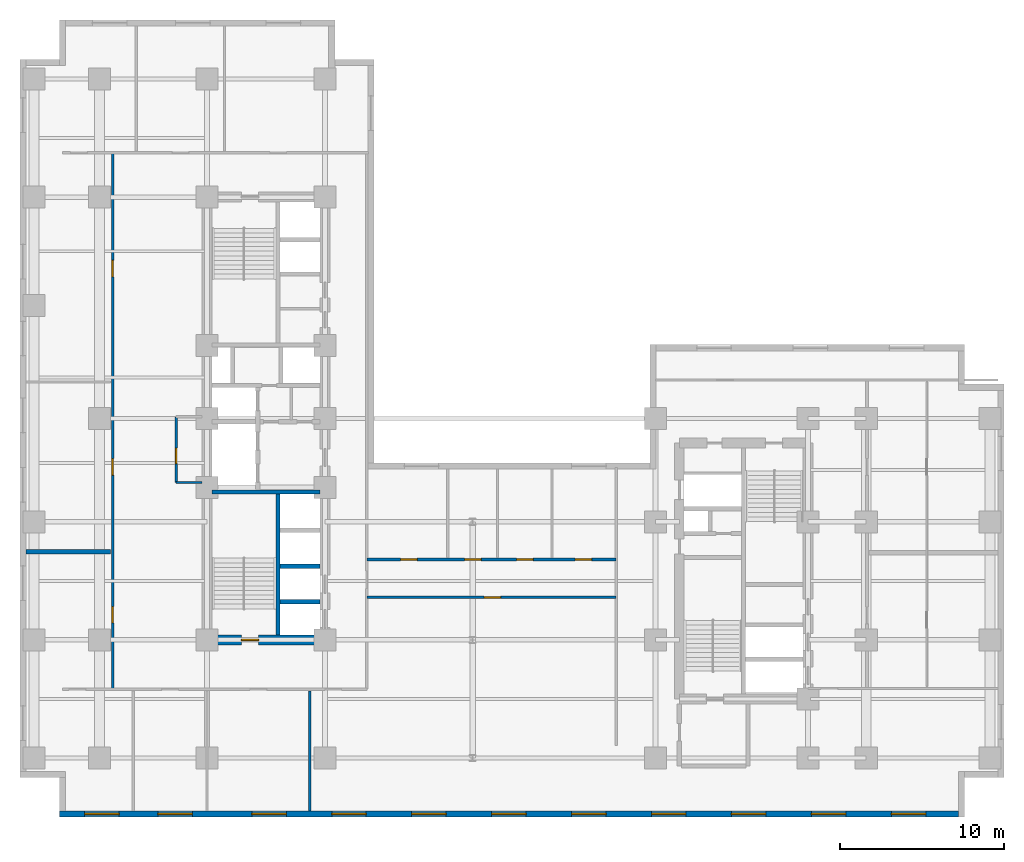
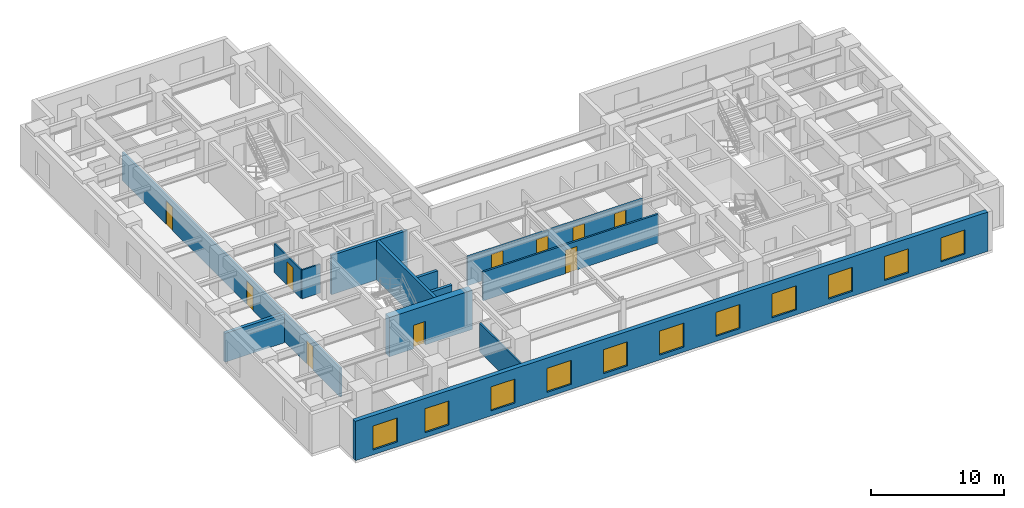
# One storey, part 3 of 10: 13 walls, 11 windows, 10 doors, 21 openings.
"""IFC4 building model written with IfcOpenShell, lengths in metres."""

import ifcopenshell
import ifcopenshell.guid

model = None  # the IFC model being written
_history = None  # IfcOwnerHistory: only IFC2X3 demands one
_inside = {}  # id of a spatial element -> (the spatial element, [elements in it])
_under = {}  # id of a project, library or spatial element -> (it, [spatial elements below it])
_declared = {}  # id of a project -> (the project, [libraries it declares])
_typed = {}  # id of a type object -> (the type object, [elements of that type])
_made_of = {}  # id of a material, layer set ... -> (it, [elements and type objects made of it])


def new_model(schema):
    """Start an empty IFC model of exactly this schema.

    Asked for "IFC4X3", IfcOpenShell would pick the latest addendum, in which some entities
    have other attributes; the version numbers below select the first issue.
    IFC2X3 requires an IfcOwnerHistory on every rooted entity: one is made here for all.
    """
    global model, _history
    if schema == "IFC4X3":
        model = ifcopenshell.file(schema_version=(4, 3, 0, 0))
    else:
        model = ifcopenshell.file(schema=schema)
    _inside.clear()
    _under.clear()
    _declared.clear()
    _typed.clear()
    _made_of.clear()
    _history = None
    if model.schema == "IFC2X3":
        org = make("IfcOrganization", Name="unknown")
        user = make(
            "IfcPersonAndOrganization",
            ThePerson=make("IfcPerson", FamilyName="unknown"),
            TheOrganization=org,
        )
        app = make(
            "IfcApplication",
            ApplicationDeveloper=org,
            Version="unknown",
            ApplicationFullName="unknown",
            ApplicationIdentifier="unknown",
        )
        _history = make(
            "IfcOwnerHistory",
            OwningUser=user,
            OwningApplication=app,
            ChangeAction="ADDED",
            CreationDate=0,
        )
    return model


def make(cls, **values):
    """One entity of the class cls with the attributes given. An attribute that is None is left unset."""
    return model.create_entity(
        cls, **{name: value for name, value in values.items() if value is not None}
    )


def entity(cls, *values):
    """Any entity or typed value of the class cls, its attributes in the order of the schema. None: left unset."""
    e = model.create_entity(cls)
    for i, value in enumerate(values):
        if value is not None:
            e[i] = value
    return e


def rooted(cls, **values):
    """An entity with a GlobalId (a new one), such as an element, a storey or a relation."""
    return make(cls, GlobalId=ifcopenshell.guid.new(), OwnerHistory=_history, **values)


def si_unit(unit_type, name, prefix=None):
    """IfcSIUnit, for example si_unit("LENGTHUNIT", "METRE", prefix="MILLI")."""
    return make("IfcSIUnit", UnitType=unit_type, Prefix=prefix, Name=name)


def converted_unit(unit_type, name, factor, base, dimensions=None, offset=None):
    """IfcConversionBasedUnit, such as the inch: factor (a typed value) times the base unit."""
    return make(
        "IfcConversionBasedUnit"
        if offset is None
        else "IfcConversionBasedUnitWithOffset",
        ConversionOffset=offset,
        Dimensions=None
        if dimensions is None
        else entity("IfcDimensionalExponents", *dimensions),
        UnitType=unit_type,
        Name=name,
        ConversionFactor=make(
            "IfcMeasureWithUnit", ValueComponent=factor, UnitComponent=base
        ),
    )


def assignment(units):
    """IfcUnitAssignment: the units of a project."""
    return None if units is None else make("IfcUnitAssignment", Units=units)


def point(xyz):
    """IfcCartesianPoint."""
    return None if xyz is None else make("IfcCartesianPoint", Coordinates=xyz)


def direction(xyz):
    """IfcDirection."""
    return None if xyz is None else make("IfcDirection", DirectionRatios=xyz)


def frame(location, z_axis=None, x_axis=None):
    """IfcAxis2Placement3D, a coordinate frame: its origin and axes. An axis left out is left unset."""
    return make(
        "IfcAxis2Placement3D",
        Location=point(location),
        Axis=direction(z_axis),
        RefDirection=direction(x_axis),
    )


def frame_2d(location, x_axis=None):
    """IfcAxis2Placement2D, a coordinate frame in the plane: its origin and x axis."""
    return make(
        "IfcAxis2Placement2D", Location=point(location), RefDirection=direction(x_axis)
    )


def origin_with_axes():
    """The frame at (0, 0, 0) with the z axis (0, 0, 1) and the x axis (1, 0, 0) written out."""
    return frame((0.0, 0.0, 0.0), z_axis=(0.0, 0.0, 1.0), x_axis=(1.0, 0.0, 0.0))


def origin_2d_with_axis():
    """The frame at (0, 0) in the plane with the x axis (1, 0) written out."""
    return frame_2d((0.0, 0.0), x_axis=(1.0, 0.0))


def place(relative_to, where):
    """IfcLocalPlacement: puts the frame where relative to a parent placement (None: the world)."""
    return make(
        "IfcLocalPlacement", PlacementRelTo=relative_to, RelativePlacement=where
    )


def context(
    kind, dimensions, precision=None, world=None, true_north=None, identifier=None
):
    """IfcGeometricRepresentationContext, for example the 3D "Model" context."""
    return make(
        "IfcGeometricRepresentationContext",
        ContextIdentifier=identifier,
        ContextType=kind,
        CoordinateSpaceDimension=dimensions,
        Precision=precision,
        WorldCoordinateSystem=world,
        TrueNorth=true_north,
    )


def subcontext(parent, identifier, kind, view, scale=None):
    """IfcGeometricRepresentationSubContext, for example "Body" below "Model"."""
    return make(
        "IfcGeometricRepresentationSubContext",
        ContextIdentifier=identifier,
        ContextType=kind,
        ParentContext=parent,
        TargetScale=scale,
        TargetView=view,
    )


def project(units=None, contexts=None):
    """IfcProject with its units and contexts."""
    return rooted(
        "IfcProject",
        Name="project",
        RepresentationContexts=contexts,
        UnitsInContext=assignment(units),
    )


def spatial(cls, under=None, at=None, **own):
    """A site, building, storey or space (cls), placed at a placement, below another one or the project."""
    s = rooted(cls, ObjectPlacement=at, **own)
    if under is not None:
        _under.setdefault(under.id(), (under, []))[1].append(s)
    return s


def polyline(points):
    """IfcPolyline through the points."""
    return make("IfcPolyline", Points=[point(p) for p in points])


def profile(cls, at=None, kind="AREA", **sizes):
    """A parametric profile (cls). Its sizes go by their IFC names, for example OverallWidth=200.0."""
    return make(cls, ProfileType=kind, Position=at, **sizes)


def rectangle(**sizes):
    """IfcRectangleProfileDef."""
    return profile("IfcRectangleProfileDef", **sizes)


def outline(outer, holes=None, kind="AREA"):
    """IfcArbitraryClosedProfileDef: a profile drawn as a closed curve; with holes, ...WithVoids."""
    if holes is None:
        return make("IfcArbitraryClosedProfileDef", ProfileType=kind, OuterCurve=outer)
    return make(
        "IfcArbitraryProfileDefWithVoids",
        ProfileType=kind,
        OuterCurve=outer,
        InnerCurves=holes,
    )


def extrude(swept, where, along, depth):
    """IfcExtrudedAreaSolid: the profile swept, set in the frame where, extruded along a direction by depth."""
    return make(
        "IfcExtrudedAreaSolid",
        SweptArea=swept,
        Position=where,
        ExtrudedDirection=direction(along),
        Depth=depth,
    )


def shape(context_of_items, identifier, shape_type, items):
    """IfcShapeRepresentation: the items that make up one representation, for example the "Body"."""
    return make(
        "IfcShapeRepresentation",
        ContextOfItems=context_of_items,
        RepresentationIdentifier=identifier,
        RepresentationType=shape_type,
        Items=items,
    )


def material(Name=None, Category=None):
    """IfcMaterial."""
    return make("IfcMaterial", Name=Name, Category=Category)


def layer(
    of_material, thickness, ventilated=None, Name=None, Category=None, Priority=None
):
    """IfcMaterialLayer: one layer of a wall or slab, of a material (None: an air gap)."""
    return make(
        "IfcMaterialLayer",
        Material=of_material,
        LayerThickness=thickness,
        IsVentilated=ventilated,
        Name=Name,
        Category=Category,
        Priority=Priority,
    )


def layer_set(layers, Name=None):
    """IfcMaterialLayerSet."""
    return make("IfcMaterialLayerSet", MaterialLayers=layers, LayerSetName=Name)


def made_of(thing, what):
    """Note that an element or type object is made of a material, layer set ...; save() writes the relation."""
    if what is not None:
        _made_of.setdefault(what.id(), (what, []))[1].append(thing)
    return thing


def type_object(cls, material=None, **own):
    """A type object (cls), such as IfcWallType, which elements share."""
    return made_of(rooted(cls, **own), material)


def element(
    cls,
    number,
    at=None,
    inside=None,
    cuts=None,
    type_object=None,
    material=None,
    context=None,
    identifier="Body",
    shape_type=None,
    held_by="IfcProductDefinitionShape",
    body=None,
    shapes=None,
    **own,
):
    """One element of the class cls, such as IfcWall. Its Tag is "e" and its number.

    at: its placement. inside: the storey or other place that contains it. cuts: it is an
    opening in that element (IfcRelVoidsElement). A single representation is given by context,
    identifier, shape_type and body (its items); several are given by shapes. held_by: the class
    of the entity that holds the representations. save() writes the other relations.
    """
    e = rooted(cls, Tag="e%d" % number, ObjectPlacement=at, **own)
    if body is not None:
        shapes = [shape(context, identifier, shape_type, body)]
    if shapes is not None:
        e.Representation = make(held_by, Representations=shapes)
    if inside is not None:
        _inside.setdefault(inside.id(), (inside, []))[1].append(e)
    if cuts is not None:
        rooted(
            "IfcRelVoidsElement", RelatingBuildingElement=cuts, RelatedOpeningElement=e
        )
    if type_object is not None:
        _typed.setdefault(type_object.id(), (type_object, []))[1].append(e)
    return made_of(e, material)


def fill(opening, filler):
    """IfcRelFillsElement: the door or window that sits in an opening."""
    return rooted(
        "IfcRelFillsElement",
        RelatingOpeningElement=opening,
        RelatedBuildingElement=filler,
    )


def aggregate(whole, parts):
    """IfcRelAggregates: a whole, such as a stair, and the parts it consists of."""
    return rooted("IfcRelAggregates", RelatingObject=whole, RelatedObjects=parts)


def save(model, path):
    """Write the relations noted so far, then the file.

    IfcRelAggregates (storeys below a building ...), IfcRelContainedInSpatialStructure (elements
    in a storey), IfcRelDefinesByType, IfcRelAssociatesMaterial and IfcRelDeclares: one each for
    every whole, place, type object, material and project.
    """
    for whole, parts in _under.values():
        aggregate(whole, parts)
    for where, things in _inside.values():
        rooted(
            "IfcRelContainedInSpatialStructure",
            RelatedElements=things,
            RelatingStructure=where,
        )
    for kind, things in _typed.values():
        rooted("IfcRelDefinesByType", RelatedObjects=things, RelatingType=kind)
    for what, things in _made_of.values():
        rooted("IfcRelAssociatesMaterial", RelatedObjects=things, RelatingMaterial=what)
    for by, libraries in _declared.values():
        rooted("IfcRelDeclares", RelatingContext=by, RelatedDefinitions=libraries)
    model.write(path)


model = new_model("IFC4")

# Units and contexts
model_context = context("Model", 3, precision=1e-05, world=origin_with_axes(), true_north=direction((0.0, 1.0)))
body_context = subcontext(model_context, "Body", "Model", "MODEL_VIEW")
ifc_project = project(units=[si_unit("LENGTHUNIT", "METRE"), si_unit("AREAUNIT", "SQUARE_METRE"), si_unit("VOLUMEUNIT", "CUBIC_METRE"), converted_unit("PLANEANGLEUNIT", "DEGREE", entity("IfcPlaneAngleMeasure", 0.017453292519943295), si_unit("PLANEANGLEUNIT", "RADIAN"), dimensions=[0, 0, 0, 0, 0, 0, 0]), si_unit("MASSUNIT", "GRAM", prefix="KILO"), si_unit("THERMODYNAMICTEMPERATUREUNIT", "KELVIN")], contexts=[model_context])

# Site, building, storey
site_placement = place(None, origin_with_axes())
site = spatial("IfcSite", under=ifc_project, at=site_placement, CompositionType="ELEMENT")
building_placement = place(site_placement, origin_with_axes())
building = spatial("IfcBuilding", under=site, at=building_placement, Name="Varnlund Millrace Tower", CompositionType="ELEMENT")
storey_placement = place(building_placement, frame((0.0, 0.0, 75.6), z_axis=(0.0, 0.0, 1.0), x_axis=(1.0, 0.0, 0.0)))
storey = spatial("IfcBuildingStorey", under=building, at=storey_placement, Name="L18", CompositionType="ELEMENT", Elevation=75.6)

# Wall, opening, door
ifc_material_1 = material(Name="Concrete C80/95", Category="concrete")
ifc_layer_1 = layer(ifc_material_1, 0.6, Name="Concrete C80/95")
ifc_layer_set_1 = layer_set([ifc_layer_1], Name="Concrete C80/95")
wall_type_1 = type_object("IfcWallType", Name="Type-CoreWall-Shear-600-C80", PredefinedType="SHEAR", material=ifc_layer_set_1)
wall_1_placement = place(storey_placement, frame((11.4, 10.8, 0.0), z_axis=(0.0, 0.0, 1.0), x_axis=(1.0, 0.0, 0.0)))
wall_1 = element("IfcWall", 1, at=wall_1_placement, inside=storey, type_object=wall_type_1, Name="Type-CoreWall-Shear-600-C80", PredefinedType="SHEAR", context=body_context, shape_type="SweptSolid", body=[
    extrude(outline(polyline([(0.0, -0.3), (7.2, -0.3), (7.2, 0.3), (0.0, 0.3), (0.0, -0.3)])), origin_with_axes(), (0.0, 0.0, 1.0), 3.6),
])
opening_1_placement = place(wall_1_placement, frame((2.625, 0.0, 0.0), z_axis=(0.0, 0.0, 1.0), x_axis=(1.0, 0.0, 0.0)))
opening_1 = element("IfcOpeningElement", 2, at=opening_1_placement, cuts=wall_1, Name="Opening L18:DR-STA1", PredefinedType="OPENING", context=body_context, shape_type="SweptSolid", body=[
    extrude(rectangle(XDim=1.05, YDim=0.62, at=origin_2d_with_axis()), origin_with_axes(), (0.0, 0.0, 1.0), 2.15),
])
ifc_material_2 = material(Name="Fire-rated hollow steel door", Category="steel")
door_type_1 = type_object("IfcDoorType", Name="Type-FireDoor-Stair-1050X2150", OperationType="NOTDEFINED", PredefinedType="DOOR", material=ifc_material_2)
door_1_placement = place(wall_1_placement, frame((2.625, 0.0, 0.0), z_axis=(0.0, 0.0, 1.0), x_axis=(1.0, 0.0, 0.0)))
door_1 = element("IfcDoor", 3, at=door_1_placement, inside=storey, type_object=door_type_1, Name="Type-FireDoor-Stair-1050X2150", OperationType="SINGLE_SWING_LEFT", OverallHeight=2.15, OverallWidth=1.05, PredefinedType="DOOR", context=body_context, shape_type="SweptSolid", body=[
    extrude(rectangle(XDim=1.05, YDim=0.09, at=origin_2d_with_axis()), origin_with_axes(), (0.0, 0.0, 1.0), 2.15),
])
fill(opening_1, door_1)

# Wall, openings, windows
ifc_material_3 = material(Name="Precast concrete C50/60", Category="concrete")
ifc_layer_2 = layer(ifc_material_3, 0.38, Name="Precast concrete C50/60")
ifc_layer_set_2 = layer_set([ifc_layer_2], Name="Precast concrete C50/60")
wall_type_2 = type_object("IfcWallType", Name="Type-ExtWall-Precast-Tube-380", PredefinedType="SOLIDWALL", material=ifc_layer_set_2)
wall_2_placement = place(storey_placement, frame((57.22, 0.19, 0.0), z_axis=(0.0, 0.0, 1.0), x_axis=(-1.0, 0.0, 0.0)))
wall_2 = element("IfcWall", 4, at=wall_2_placement, inside=storey, type_object=wall_type_2, Name="Type-ExtWall-Precast-Tube-380", PredefinedType="SOLIDWALL", context=body_context, shape_type="SweptSolid", body=[
    extrude(outline(polyline([(0.0, -0.19), (54.82, -0.19), (54.82, 0.19), (0.0, 0.19), (0.0, -0.19)])), origin_with_axes(), (0.0, 0.0, 1.0), 3.6),
])
opening_2_placement = place(wall_2_placement, frame((3.037, 0.0, 0.45), z_axis=(0.0, 0.0, 1.0), x_axis=(1.0, 0.0, 0.0)))
opening_2 = element("IfcOpeningElement", 5, at=opening_2_placement, cuts=wall_2, Name="Opening L18:WN-06", PredefinedType="OPENING", context=body_context, shape_type="SweptSolid", body=[
    extrude(rectangle(XDim=2.1, YDim=0.4, at=origin_2d_with_axis()), origin_with_axes(), (0.0, 0.0, 1.0), 2.2),
])
opening_3_placement = place(wall_2_placement, frame((7.912, 0.0, 0.45), z_axis=(0.0, 0.0, 1.0), x_axis=(1.0, 0.0, 0.0)))
opening_3 = element("IfcOpeningElement", 6, at=opening_3_placement, cuts=wall_2, Name="Opening L18:WN-07", PredefinedType="OPENING", context=body_context, shape_type="SweptSolid", body=[
    extrude(rectangle(XDim=2.1, YDim=0.4, at=origin_2d_with_axis()), origin_with_axes(), (0.0, 0.0, 1.0), 2.2),
])
opening_4_placement = place(wall_2_placement, frame((12.786, 0.0, 0.45), z_axis=(0.0, 0.0, 1.0), x_axis=(1.0, 0.0, 0.0)))
opening_4 = element("IfcOpeningElement", 7, at=opening_4_placement, cuts=wall_2, Name="Opening L18:WN-08", PredefinedType="OPENING", context=body_context, shape_type="SweptSolid", body=[
    extrude(rectangle(XDim=2.1, YDim=0.4, at=origin_2d_with_axis()), origin_with_axes(), (0.0, 0.0, 1.0), 2.2),
])
opening_5_placement = place(wall_2_placement, frame((17.661, 0.0, 0.45), z_axis=(0.0, 0.0, 1.0), x_axis=(1.0, 0.0, 0.0)))
opening_5 = element("IfcOpeningElement", 8, at=opening_5_placement, cuts=wall_2, Name="Opening L18:WN-09", PredefinedType="OPENING", context=body_context, shape_type="SweptSolid", body=[
    extrude(rectangle(XDim=2.1, YDim=0.4, at=origin_2d_with_axis()), origin_with_axes(), (0.0, 0.0, 1.0), 2.2),
])
opening_6_placement = place(wall_2_placement, frame((22.535, 0.0, 0.45), z_axis=(0.0, 0.0, 1.0), x_axis=(1.0, 0.0, 0.0)))
opening_6 = element("IfcOpeningElement", 9, at=opening_6_placement, cuts=wall_2, Name="Opening L18:WN-10", PredefinedType="OPENING", context=body_context, shape_type="SweptSolid", body=[
    extrude(rectangle(XDim=2.1, YDim=0.4, at=origin_2d_with_axis()), origin_with_axes(), (0.0, 0.0, 1.0), 2.2),
])
opening_7_placement = place(wall_2_placement, frame((27.41, 0.0, 0.45), z_axis=(0.0, 0.0, 1.0), x_axis=(1.0, 0.0, 0.0)))
opening_7 = element("IfcOpeningElement", 10, at=opening_7_placement, cuts=wall_2, Name="Opening L18:WN-11", PredefinedType="OPENING", context=body_context, shape_type="SweptSolid", body=[
    extrude(rectangle(XDim=2.1, YDim=0.4, at=origin_2d_with_axis()), origin_with_axes(), (0.0, 0.0, 1.0), 2.2),
])
opening_8_placement = place(wall_2_placement, frame((32.285, 0.0, 0.45), z_axis=(0.0, 0.0, 1.0), x_axis=(1.0, 0.0, 0.0)))
opening_8 = element("IfcOpeningElement", 11, at=opening_8_placement, cuts=wall_2, Name="Opening L18:WN-12", PredefinedType="OPENING", context=body_context, shape_type="SweptSolid", body=[
    extrude(rectangle(XDim=2.1, YDim=0.4, at=origin_2d_with_axis()), origin_with_axes(), (0.0, 0.0, 1.0), 2.2),
])
opening_9_placement = place(wall_2_placement, frame((37.159, 0.0, 0.45), z_axis=(0.0, 0.0, 1.0), x_axis=(1.0, 0.0, 0.0)))
opening_9 = element("IfcOpeningElement", 12, at=opening_9_placement, cuts=wall_2, Name="Opening L18:WN-13", PredefinedType="OPENING", context=body_context, shape_type="SweptSolid", body=[
    extrude(rectangle(XDim=2.1, YDim=0.4, at=origin_2d_with_axis()), origin_with_axes(), (0.0, 0.0, 1.0), 2.2),
])
opening_10_placement = place(wall_2_placement, frame((42.034, 0.0, 0.45), z_axis=(0.0, 0.0, 1.0), x_axis=(1.0, 0.0, 0.0)))
opening_10 = element("IfcOpeningElement", 13, at=opening_10_placement, cuts=wall_2, Name="Opening L18:WN-14", PredefinedType="OPENING", context=body_context, shape_type="SweptSolid", body=[
    extrude(rectangle(XDim=2.1, YDim=0.4, at=origin_2d_with_axis()), origin_with_axes(), (0.0, 0.0, 1.0), 2.2),
])
opening_11_placement = place(wall_2_placement, frame((47.758, 0.0, 0.45), z_axis=(0.0, 0.0, 1.0), x_axis=(1.0, 0.0, 0.0)))
opening_11 = element("IfcOpeningElement", 14, at=opening_11_placement, cuts=wall_2, Name="Opening L18:WN-15", PredefinedType="OPENING", context=body_context, shape_type="SweptSolid", body=[
    extrude(rectangle(XDim=2.1, YDim=0.4, at=origin_2d_with_axis()), origin_with_axes(), (0.0, 0.0, 1.0), 2.2),
])
opening_12_placement = place(wall_2_placement, frame((52.233, 0.0, 0.45), z_axis=(0.0, 0.0, 1.0), x_axis=(1.0, 0.0, 0.0)))
opening_12 = element("IfcOpeningElement", 15, at=opening_12_placement, cuts=wall_2, Name="Opening L18:WN-16", PredefinedType="OPENING", context=body_context, shape_type="SweptSolid", body=[
    extrude(rectangle(XDim=2.1, YDim=0.4, at=origin_2d_with_axis()), origin_with_axes(), (0.0, 0.0, 1.0), 2.2),
])
ifc_material_4 = material(Name="Argon low-e triple glazing in thermally broken bronze frame", Category="glass")
window_type = type_object("IfcWindowType", Name="Type-Window-Punched-2100X2200", PartitioningType="SINGLE_PANEL", PredefinedType="WINDOW", material=ifc_material_4)
window_1_placement = place(wall_2_placement, frame((3.037, 0.0, 0.45), z_axis=(0.0, 0.0, 1.0), x_axis=(1.0, 0.0, 0.0)))
window_1 = element("IfcWindow", 16, at=window_1_placement, inside=storey, type_object=window_type, Name="Type-Window-Punched-2100X2200", OverallHeight=2.2, OverallWidth=2.1, PredefinedType="WINDOW", context=body_context, shape_type="SweptSolid", body=[
    extrude(rectangle(XDim=2.1, YDim=0.09, at=origin_2d_with_axis()), origin_with_axes(), (0.0, 0.0, 1.0), 2.2),
])
fill(opening_2, window_1)
window_2_placement = place(wall_2_placement, frame((7.912, 0.0, 0.45), z_axis=(0.0, 0.0, 1.0), x_axis=(1.0, 0.0, 0.0)))
window_2 = element("IfcWindow", 17, at=window_2_placement, inside=storey, type_object=window_type, Name="Type-Window-Punched-2100X2200", OverallHeight=2.2, OverallWidth=2.1, PredefinedType="WINDOW", context=body_context, shape_type="SweptSolid", body=[
    extrude(rectangle(XDim=2.1, YDim=0.09, at=origin_2d_with_axis()), origin_with_axes(), (0.0, 0.0, 1.0), 2.2),
])
fill(opening_3, window_2)
window_3_placement = place(wall_2_placement, frame((12.786, 0.0, 0.45), z_axis=(0.0, 0.0, 1.0), x_axis=(1.0, 0.0, 0.0)))
window_3 = element("IfcWindow", 18, at=window_3_placement, inside=storey, type_object=window_type, Name="Type-Window-Punched-2100X2200", OverallHeight=2.2, OverallWidth=2.1, PredefinedType="WINDOW", context=body_context, shape_type="SweptSolid", body=[
    extrude(rectangle(XDim=2.1, YDim=0.09, at=origin_2d_with_axis()), origin_with_axes(), (0.0, 0.0, 1.0), 2.2),
])
fill(opening_4, window_3)
window_4_placement = place(wall_2_placement, frame((17.661, 0.0, 0.45), z_axis=(0.0, 0.0, 1.0), x_axis=(1.0, 0.0, 0.0)))
window_4 = element("IfcWindow", 19, at=window_4_placement, inside=storey, type_object=window_type, Name="Type-Window-Punched-2100X2200", OverallHeight=2.2, OverallWidth=2.1, PredefinedType="WINDOW", context=body_context, shape_type="SweptSolid", body=[
    extrude(rectangle(XDim=2.1, YDim=0.09, at=origin_2d_with_axis()), origin_with_axes(), (0.0, 0.0, 1.0), 2.2),
])
fill(opening_5, window_4)
window_5_placement = place(wall_2_placement, frame((22.535, 0.0, 0.45), z_axis=(0.0, 0.0, 1.0), x_axis=(1.0, 0.0, 0.0)))
window_5 = element("IfcWindow", 20, at=window_5_placement, inside=storey, type_object=window_type, Name="Type-Window-Punched-2100X2200", OverallHeight=2.2, OverallWidth=2.1, PredefinedType="WINDOW", context=body_context, shape_type="SweptSolid", body=[
    extrude(rectangle(XDim=2.1, YDim=0.09, at=origin_2d_with_axis()), origin_with_axes(), (0.0, 0.0, 1.0), 2.2),
])
fill(opening_6, window_5)
window_6_placement = place(wall_2_placement, frame((27.41, 0.0, 0.45), z_axis=(0.0, 0.0, 1.0), x_axis=(1.0, 0.0, 0.0)))
window_6 = element("IfcWindow", 21, at=window_6_placement, inside=storey, type_object=window_type, Name="Type-Window-Punched-2100X2200", OverallHeight=2.2, OverallWidth=2.1, PredefinedType="WINDOW", context=body_context, shape_type="SweptSolid", body=[
    extrude(rectangle(XDim=2.1, YDim=0.09, at=origin_2d_with_axis()), origin_with_axes(), (0.0, 0.0, 1.0), 2.2),
])
fill(opening_7, window_6)
window_7_placement = place(wall_2_placement, frame((32.285, 0.0, 0.45), z_axis=(0.0, 0.0, 1.0), x_axis=(1.0, 0.0, 0.0)))
window_7 = element("IfcWindow", 22, at=window_7_placement, inside=storey, type_object=window_type, Name="Type-Window-Punched-2100X2200", OverallHeight=2.2, OverallWidth=2.1, PredefinedType="WINDOW", context=body_context, shape_type="SweptSolid", body=[
    extrude(rectangle(XDim=2.1, YDim=0.09, at=origin_2d_with_axis()), origin_with_axes(), (0.0, 0.0, 1.0), 2.2),
])
fill(opening_8, window_7)
window_8_placement = place(wall_2_placement, frame((37.159, 0.0, 0.45), z_axis=(0.0, 0.0, 1.0), x_axis=(1.0, 0.0, 0.0)))
window_8 = element("IfcWindow", 23, at=window_8_placement, inside=storey, type_object=window_type, Name="Type-Window-Punched-2100X2200", OverallHeight=2.2, OverallWidth=2.1, PredefinedType="WINDOW", context=body_context, shape_type="SweptSolid", body=[
    extrude(rectangle(XDim=2.1, YDim=0.09, at=origin_2d_with_axis()), origin_with_axes(), (0.0, 0.0, 1.0), 2.2),
])
fill(opening_9, window_8)
window_9_placement = place(wall_2_placement, frame((42.034, 0.0, 0.45), z_axis=(0.0, 0.0, 1.0), x_axis=(1.0, 0.0, 0.0)))
window_9 = element("IfcWindow", 24, at=window_9_placement, inside=storey, type_object=window_type, Name="Type-Window-Punched-2100X2200", OverallHeight=2.2, OverallWidth=2.1, PredefinedType="WINDOW", context=body_context, shape_type="SweptSolid", body=[
    extrude(rectangle(XDim=2.1, YDim=0.09, at=origin_2d_with_axis()), origin_with_axes(), (0.0, 0.0, 1.0), 2.2),
])
fill(opening_10, window_9)
window_10_placement = place(wall_2_placement, frame((47.758, 0.0, 0.45), z_axis=(0.0, 0.0, 1.0), x_axis=(1.0, 0.0, 0.0)))
window_10 = element("IfcWindow", 25, at=window_10_placement, inside=storey, type_object=window_type, Name="Type-Window-Punched-2100X2200", OverallHeight=2.2, OverallWidth=2.1, PredefinedType="WINDOW", context=body_context, shape_type="SweptSolid", body=[
    extrude(rectangle(XDim=2.1, YDim=0.09, at=origin_2d_with_axis()), origin_with_axes(), (0.0, 0.0, 1.0), 2.2),
])
fill(opening_11, window_10)
window_11_placement = place(wall_2_placement, frame((52.233, 0.0, 0.45), z_axis=(0.0, 0.0, 1.0), x_axis=(1.0, 0.0, 0.0)))
window_11 = element("IfcWindow", 26, at=window_11_placement, inside=storey, type_object=window_type, Name="Type-Window-Punched-2100X2200", OverallHeight=2.2, OverallWidth=2.1, PredefinedType="WINDOW", context=body_context, shape_type="SweptSolid", body=[
    extrude(rectangle(XDim=2.1, YDim=0.09, at=origin_2d_with_axis()), origin_with_axes(), (0.0, 0.0, 1.0), 2.2),
])
fill(opening_12, window_11)

# Wall
ifc_material_5 = material(Name="Double-stud STC-60 conference acoustic partition", Category="gypsum")
ifc_layer_3 = layer(ifc_material_5, 0.28, Name="Double-stud STC-60 conference acoustic partition")
ifc_layer_set_3 = layer_set([ifc_layer_3], Name="Double-stud STC-60 conference acoustic partition")
wall_type_3 = type_object("IfcWallType", Name="Type-Partition-Acoustic-280", PredefinedType="PARTITIONING", material=ifc_layer_set_3)
wall_3_placement = place(storey_placement, frame((0.375, 16.185, 0.0), z_axis=(0.0, 0.0, 1.0), x_axis=(1.0, 0.0, 0.0)))
element("IfcWall", 27, at=wall_3_placement, inside=storey, type_object=wall_type_3, Name="Type-Partition-Acoustic-280", PredefinedType="PARTITIONING", context=body_context, shape_type="SweptSolid", body=[
    extrude(outline(polyline([(0.0, -0.14), (5.155, -0.14), (5.155, 0.14), (0.0, 0.14), (0.0, -0.14)])), origin_with_axes(), (0.0, 0.0, 1.0), 2.64),
])

# Wall, openings, doors
ifc_material_6 = material(Name="Fire-rated gypsum board on cold-formed steel framing", Category="steel")
ifc_layer_4 = layer(ifc_material_6, 0.16, Name="Fire-rated gypsum board on cold-formed steel framing")
ifc_layer_set_4 = layer_set([ifc_layer_4], Name="Fire-rated gypsum board on cold-formed steel framing")
wall_type_4 = type_object("IfcWallType", Name="Type-Partition-Corridor-160", PredefinedType="PARTITIONING", material=ifc_layer_set_4)
wall_4_placement = place(storey_placement, frame((5.65, 7.8, 0.0), z_axis=(0.0, 0.0, 1.0), x_axis=(0.0, 1.0, 0.0)))
wall_4 = element("IfcWall", 28, at=wall_4_placement, inside=storey, type_object=wall_type_4, Name="Type-Partition-Corridor-160", PredefinedType="PARTITIONING", context=body_context, shape_type="SweptSolid", body=[
    extrude(outline(polyline([(0.0, -0.08), (32.7, -0.08), (32.7, 0.08), (0.0, 0.08), (0.0, -0.08)])), origin_with_axes(), (0.0, 0.0, 1.0), 2.64),
])
opening_13_placement = place(wall_4_placement, frame((4.537, 0.0, 0.0), z_axis=(0.0, 0.0, 1.0), x_axis=(1.0, 0.0, 0.0)))
opening_13 = element("IfcOpeningElement", 29, at=opening_13_placement, cuts=wall_4, Name="Opening L18:DR-W-01", PredefinedType="OPENING", context=body_context, shape_type="SweptSolid", body=[
    extrude(rectangle(XDim=1.0, YDim=0.18, at=origin_2d_with_axis()), origin_with_axes(), (0.0, 0.0, 1.0), 2.15),
])
opening_14_placement = place(wall_4_placement, frame((13.551, 0.0, 0.0), z_axis=(0.0, 0.0, 1.0), x_axis=(1.0, 0.0, 0.0)))
opening_14 = element("IfcOpeningElement", 30, at=opening_14_placement, cuts=wall_4, Name="Opening L18:DR-W-02", PredefinedType="OPENING", context=body_context, shape_type="SweptSolid", body=[
    extrude(rectangle(XDim=1.0, YDim=0.18, at=origin_2d_with_axis()), origin_with_axes(), (0.0, 0.0, 1.0), 2.15),
])
opening_15_placement = place(wall_4_placement, frame((25.6435, 0.0, 0.0), z_axis=(0.0, 0.0, 1.0), x_axis=(1.0, 0.0, 0.0)))
opening_15 = element("IfcOpeningElement", 31, at=opening_15_placement, cuts=wall_4, Name="Opening L18:DR-W-03", PredefinedType="OPENING", context=body_context, shape_type="SweptSolid", body=[
    extrude(rectangle(XDim=1.0, YDim=0.18, at=origin_2d_with_axis()), origin_with_axes(), (0.0, 0.0, 1.0), 2.15),
])
ifc_material_7 = material(Name="Solid-core white oak and bronze frame door")
door_type_2 = type_object("IfcDoorType", Name="Type-IntDoor-Office-1000X2150", OperationType="NOTDEFINED", PredefinedType="DOOR", material=ifc_material_7)
door_2_placement = place(wall_4_placement, frame((4.537, 0.0, 0.0), z_axis=(0.0, 0.0, 1.0), x_axis=(1.0, 0.0, 0.0)))
door_2 = element("IfcDoor", 32, at=door_2_placement, inside=storey, type_object=door_type_2, Name="Type-IntDoor-Office-1000X2150", OperationType="SINGLE_SWING_LEFT", OverallHeight=2.15, OverallWidth=1.0, PredefinedType="DOOR", context=body_context, shape_type="SweptSolid", body=[
    extrude(rectangle(XDim=1.0, YDim=0.09, at=origin_2d_with_axis()), origin_with_axes(), (0.0, 0.0, 1.0), 2.15),
])
fill(opening_13, door_2)
door_3_placement = place(wall_4_placement, frame((13.551, 0.0, 0.0), z_axis=(0.0, 0.0, 1.0), x_axis=(1.0, 0.0, 0.0)))
door_3 = element("IfcDoor", 33, at=door_3_placement, inside=storey, type_object=door_type_2, Name="Type-IntDoor-Office-1000X2150", OperationType="SINGLE_SWING_RIGHT", OverallHeight=2.15, OverallWidth=1.0, PredefinedType="DOOR", context=body_context, shape_type="SweptSolid", body=[
    extrude(rectangle(XDim=1.0, YDim=0.09, at=origin_2d_with_axis()), origin_with_axes(), (0.0, 0.0, 1.0), 2.15),
])
fill(opening_14, door_3)
door_4_placement = place(wall_4_placement, frame((25.6435, 0.0, 0.0), z_axis=(0.0, 0.0, 1.0), x_axis=(1.0, 0.0, 0.0)))
door_4 = element("IfcDoor", 34, at=door_4_placement, inside=storey, type_object=door_type_2, Name="Type-IntDoor-Office-1000X2150", OperationType="SINGLE_SWING_LEFT", OverallHeight=2.15, OverallWidth=1.0, PredefinedType="DOOR", context=body_context, shape_type="SweptSolid", body=[
    extrude(rectangle(XDim=1.0, YDim=0.09, at=origin_2d_with_axis()), origin_with_axes(), (0.0, 0.0, 1.0), 2.15),
])
fill(opening_15, door_4)

# Wall, opening, door
wall_5_placement = place(storey_placement, frame((21.15, 13.4, 0.0), z_axis=(0.0, 0.0, 1.0), x_axis=(1.0, 0.0, 0.0)))
wall_5 = element("IfcWall", 35, at=wall_5_placement, inside=storey, type_object=wall_type_4, Name="Type-Partition-Corridor-160", PredefinedType="PARTITIONING", context=body_context, shape_type="SweptSolid", body=[
    extrude(outline(polyline([(0.0, -0.08), (15.2, -0.08), (15.2, 0.08), (0.0, 0.08), (0.0, -0.08)])), origin_with_axes(), (0.0, 0.0, 1.0), 2.64),
])
opening_16_placement = place(wall_5_placement, frame((7.65, 0.0, 0.0), z_axis=(0.0, 0.0, 1.0), x_axis=(1.0, 0.0, 0.0)))
opening_16 = element("IfcOpeningElement", 36, at=opening_16_placement, cuts=wall_5, Name="Opening L18:DR-KNS-01", PredefinedType="OPENING", context=body_context, shape_type="SweptSolid", body=[
    extrude(rectangle(XDim=1.0, YDim=0.18, at=origin_2d_with_axis()), origin_with_axes(), (0.0, 0.0, 1.0), 2.15),
])
door_5_placement = place(wall_5_placement, frame((7.65, 0.0, 0.0), z_axis=(0.0, 0.0, 1.0), x_axis=(1.0, 0.0, 0.0)))
door_5 = element("IfcDoor", 37, at=door_5_placement, inside=storey, type_object=door_type_2, Name="Type-IntDoor-Office-1000X2150", OperationType="SINGLE_SWING_LEFT", OverallHeight=2.15, OverallWidth=1.0, PredefinedType="DOOR", context=body_context, shape_type="SweptSolid", body=[
    extrude(rectangle(XDim=1.0, YDim=0.09, at=origin_2d_with_axis()), origin_with_axes(), (0.0, 0.0, 1.0), 2.15),
])
fill(opening_16, door_5)

# Wall, openings, doors
wall_6_placement = place(storey_placement, frame((21.15, 15.7, 0.0), z_axis=(0.0, 0.0, 1.0), x_axis=(1.0, 0.0, 0.0)))
wall_6 = element("IfcWall", 38, at=wall_6_placement, inside=storey, type_object=wall_type_4, Name="Type-Partition-Corridor-160", PredefinedType="PARTITIONING", context=body_context, shape_type="SweptSolid", body=[
    extrude(outline(polyline([(0.0, -0.08), (15.2, -0.08), (15.2, 0.08), (0.0, 0.08), (0.0, -0.08)])), origin_with_axes(), (0.0, 0.0, 1.0), 2.64),
])
opening_17_placement = place(wall_6_placement, frame((2.5625, 0.0, 0.0), z_axis=(0.0, 0.0, 1.0), x_axis=(1.0, 0.0, 0.0)))
opening_17 = element("IfcOpeningElement", 39, at=opening_17_placement, cuts=wall_6, Name="Opening L18:DR-KN-01", PredefinedType="OPENING", context=body_context, shape_type="SweptSolid", body=[
    extrude(rectangle(XDim=1.0, YDim=0.18, at=origin_2d_with_axis()), origin_with_axes(), (0.0, 0.0, 1.0), 2.15),
])
opening_18_placement = place(wall_6_placement, frame((6.4615, 0.0, 0.0), z_axis=(0.0, 0.0, 1.0), x_axis=(1.0, 0.0, 0.0)))
opening_18 = element("IfcOpeningElement", 40, at=opening_18_placement, cuts=wall_6, Name="Opening L18:DR-KN-02", PredefinedType="OPENING", context=body_context, shape_type="SweptSolid", body=[
    extrude(rectangle(XDim=1.0, YDim=0.18, at=origin_2d_with_axis()), origin_with_axes(), (0.0, 0.0, 1.0), 2.15),
])
opening_19_placement = place(wall_6_placement, frame((9.634, 0.0, 0.0), z_axis=(0.0, 0.0, 1.0), x_axis=(1.0, 0.0, 0.0)))
opening_19 = element("IfcOpeningElement", 41, at=opening_19_placement, cuts=wall_6, Name="Opening L18:DR-KN-03", PredefinedType="OPENING", context=body_context, shape_type="SweptSolid", body=[
    extrude(rectangle(XDim=1.0, YDim=0.18, at=origin_2d_with_axis()), origin_with_axes(), (0.0, 0.0, 1.0), 2.15),
])
opening_20_placement = place(wall_6_placement, frame((13.205, 0.0, 0.0), z_axis=(0.0, 0.0, 1.0), x_axis=(1.0, 0.0, 0.0)))
opening_20 = element("IfcOpeningElement", 42, at=opening_20_placement, cuts=wall_6, Name="Opening L18:DR-KN-04", PredefinedType="OPENING", context=body_context, shape_type="SweptSolid", body=[
    extrude(rectangle(XDim=1.0, YDim=0.18, at=origin_2d_with_axis()), origin_with_axes(), (0.0, 0.0, 1.0), 2.15),
])
door_6_placement = place(wall_6_placement, frame((2.5625, 0.0, 0.0), z_axis=(0.0, 0.0, 1.0), x_axis=(1.0, 0.0, 0.0)))
door_6 = element("IfcDoor", 43, at=door_6_placement, inside=storey, type_object=door_type_2, Name="Type-IntDoor-Office-1000X2150", OperationType="SINGLE_SWING_LEFT", OverallHeight=2.15, OverallWidth=1.0, PredefinedType="DOOR", context=body_context, shape_type="SweptSolid", body=[
    extrude(rectangle(XDim=1.0, YDim=0.09, at=origin_2d_with_axis()), origin_with_axes(), (0.0, 0.0, 1.0), 2.15),
])
fill(opening_17, door_6)
door_7_placement = place(wall_6_placement, frame((6.4615, 0.0, 0.0), z_axis=(0.0, 0.0, 1.0), x_axis=(1.0, 0.0, 0.0)))
door_7 = element("IfcDoor", 44, at=door_7_placement, inside=storey, type_object=door_type_2, Name="Type-IntDoor-Office-1000X2150", OperationType="SINGLE_SWING_RIGHT", OverallHeight=2.15, OverallWidth=1.0, PredefinedType="DOOR", context=body_context, shape_type="SweptSolid", body=[
    extrude(rectangle(XDim=1.0, YDim=0.09, at=origin_2d_with_axis()), origin_with_axes(), (0.0, 0.0, 1.0), 2.15),
])
fill(opening_18, door_7)
door_8_placement = place(wall_6_placement, frame((9.634, 0.0, 0.0), z_axis=(0.0, 0.0, 1.0), x_axis=(1.0, 0.0, 0.0)))
door_8 = element("IfcDoor", 45, at=door_8_placement, inside=storey, type_object=door_type_2, Name="Type-IntDoor-Office-1000X2150", OperationType="SINGLE_SWING_LEFT", OverallHeight=2.15, OverallWidth=1.0, PredefinedType="DOOR", context=body_context, shape_type="SweptSolid", body=[
    extrude(rectangle(XDim=1.0, YDim=0.09, at=origin_2d_with_axis()), origin_with_axes(), (0.0, 0.0, 1.0), 2.15),
])
fill(opening_19, door_8)
door_9_placement = place(wall_6_placement, frame((13.205, 0.0, 0.0), z_axis=(0.0, 0.0, 1.0), x_axis=(1.0, 0.0, 0.0)))
door_9 = element("IfcDoor", 46, at=door_9_placement, inside=storey, type_object=door_type_2, Name="Type-IntDoor-Office-1000X2150", OperationType="SINGLE_SWING_RIGHT", OverallHeight=2.15, OverallWidth=1.0, PredefinedType="DOOR", context=body_context, shape_type="SweptSolid", body=[
    extrude(rectangle(XDim=1.0, YDim=0.09, at=origin_2d_with_axis()), origin_with_axes(), (0.0, 0.0, 1.0), 2.15),
])
fill(opening_20, door_9)

# Wall
ifc_material_8 = material(Name="Acoustic STC-50 gypsum board partition", Category="gypsum")
ifc_layer_5 = layer(ifc_material_8, 0.15, Name="Acoustic STC-50 gypsum board partition")
ifc_layer_set_5 = layer_set([ifc_layer_5], Name="Acoustic STC-50 gypsum board partition")
wall_type_5 = type_object("IfcWallType", Name="Type-Partition-Demising-150", PredefinedType="PARTITIONING", material=ifc_layer_set_5)
wall_7_placement = place(storey_placement, frame((17.664, 0.36, 0.0), z_axis=(0.0, 0.0, 1.0), x_axis=(0.0, 1.0, 0.0)))
element("IfcWall", 47, at=wall_7_placement, inside=storey, type_object=wall_type_5, Name="Type-Partition-Demising-150", PredefinedType="PARTITIONING", context=body_context, shape_type="SweptSolid", body=[
    extrude(outline(polyline([(0.0, -0.075), (7.34, -0.075), (7.34, 0.075), (0.0, 0.075), (0.0, -0.075)])), origin_with_axes(), (0.0, 0.0, 1.0), 2.64),
])

# Wall, opening, door
ifc_material_9 = material(Name="Moisture-resistant gypsum restroom partition", Category="gypsum")
ifc_layer_6 = layer(ifc_material_9, 0.14, Name="Moisture-resistant gypsum restroom partition")
ifc_layer_set_6 = layer_set([ifc_layer_6], Name="Moisture-resistant gypsum restroom partition")
wall_type_6 = type_object("IfcWallType", Name="Type-Partition-Wet-140", PredefinedType="PARTITIONING", material=ifc_layer_set_6)
wall_8_placement = place(storey_placement, frame((9.52, 20.4, 0.0), z_axis=(0.0, 0.0, 1.0), x_axis=(0.0, 1.0, 0.0)))
wall_8 = element("IfcWall", 48, at=wall_8_placement, inside=storey, type_object=wall_type_6, Name="Type-Partition-Wet-140", PredefinedType="PARTITIONING", context=body_context, shape_type="SweptSolid", body=[
    extrude(outline(polyline([(0.0, -0.07), (4.0, -0.07), (4.0, 0.07), (0.0, 0.07), (0.0, -0.07)])), origin_with_axes(), (0.0, 0.0, 1.0), 2.64),
])
opening_21_placement = place(wall_8_placement, frame((1.625, 0.0, 0.0), z_axis=(0.0, 0.0, 1.0), x_axis=(1.0, 0.0, 0.0)))
opening_21 = element("IfcOpeningElement", 49, at=opening_21_placement, cuts=wall_8, Name="Opening L18:DR-CA-WCW", PredefinedType="OPENING", context=body_context, shape_type="SweptSolid", body=[
    extrude(rectangle(XDim=0.95, YDim=0.16, at=origin_2d_with_axis()), origin_with_axes(), (0.0, 0.0, 1.0), 2.15),
])
ifc_material_10 = material(Name="Solid-core acoustic office door")
door_type_3 = type_object("IfcDoorType", Name="Type-IntDoor-Tenant-950X2150", OperationType="NOTDEFINED", PredefinedType="DOOR", material=ifc_material_10)
door_10_placement = place(wall_8_placement, frame((1.625, 0.0, 0.0), z_axis=(0.0, 0.0, 1.0), x_axis=(1.0, 0.0, 0.0)))
door_10 = element("IfcDoor", 50, at=door_10_placement, inside=storey, type_object=door_type_3, Name="Type-IntDoor-Tenant-950X2150", OperationType="SINGLE_SWING_LEFT", OverallHeight=2.15, OverallWidth=0.95, PredefinedType="DOOR", context=body_context, shape_type="SweptSolid", body=[
    extrude(rectangle(XDim=0.95, YDim=0.084, at=origin_2d_with_axis()), origin_with_axes(), (0.0, 0.0, 1.0), 2.15),
])
fill(opening_21, door_10)

# Walls
wall_9_placement = place(storey_placement, frame((9.52, 20.4, 0.0), z_axis=(0.0, 0.0, 1.0), x_axis=(1.0, 0.0, 0.0)))
element("IfcWall", 51, at=wall_9_placement, inside=storey, type_object=wall_type_6, Name="Type-Partition-Wet-140", PredefinedType="PARTITIONING", context=body_context, shape_type="SweptSolid", body=[
    extrude(outline(polyline([(0.0, -0.07), (1.58, -0.07), (1.58, 0.07), (0.0, 0.07), (0.0, -0.07)])), origin_with_axes(), (0.0, 0.0, 1.0), 2.64),
])
ifc_material_11 = material(Name="Concrete C60/75", Category="concrete")
ifc_layer_7 = layer(ifc_material_11, 0.25, Name="Concrete C60/75")
ifc_layer_set_7 = layer_set([ifc_layer_7], Name="Concrete C60/75")
wall_type_7 = type_object("IfcWallType", Name="Type-ShaftWall-Fire-250", PredefinedType="SOLIDWALL", material=ifc_layer_set_7)
for number, where, z_axis, x_axis, name in (
    (52, (15.84, 13.13, 0.0), (0.0, 0.0, 1.0), (1.0, 0.0, 0.0), "Type-ShaftWall-Fire-250"),
    (53, (15.84, 15.29, 0.0), (0.0, 0.0, 1.0), (1.0, 0.0, 0.0), "Type-ShaftWall-Fire-250"),
):
    element("IfcWall", number, at=place(storey_placement, frame(where, z_axis=z_axis, x_axis=x_axis)), inside=storey, type_object=wall_type_7, Name=name, PredefinedType="SOLIDWALL", context=body_context, shape_type="SweptSolid", body=[
        extrude(outline(polyline([(0.0, -0.125), (2.46, -0.125), (2.46, 0.125), (0.0, 0.125), (0.0, -0.125)])), origin_with_axes(), (0.0, 0.0, 1.0), 2.64),
    ])
wall_type_8 = type_object("IfcWallType", Name="Type-StairWall-Shear-250", PredefinedType="SHEAR", material=ifc_layer_set_7)
wall_10_placement = place(storey_placement, frame((15.725, 11.1, 0.0), z_axis=(0.0, 0.0, 1.0), x_axis=(0.0, 1.0, 0.0)))
element("IfcWall", 54, at=wall_10_placement, inside=storey, type_object=wall_type_8, Name="Type-StairWall-Shear-250", PredefinedType="SHEAR", context=body_context, shape_type="SweptSolid", body=[
    extrude(outline(polyline([(0.0, -0.125), (8.6, -0.125), (8.6, 0.125), (0.0, 0.125), (0.0, -0.125)])), origin_with_axes(), (0.0, 0.0, 1.0), 3.6),
])
wall_11_placement = place(storey_placement, frame((11.7, 19.825, 0.0), z_axis=(0.0, 0.0, 1.0), x_axis=(1.0, 0.0, 0.0)))
element("IfcWall", 55, at=wall_11_placement, inside=storey, type_object=wall_type_8, Name="Type-StairWall-Shear-250", PredefinedType="SHEAR", context=body_context, shape_type="SweptSolid", body=[
    extrude(outline(polyline([(0.0, -0.125), (6.6, -0.125), (6.6, 0.125), (0.0, 0.125), (0.0, -0.125)])), origin_with_axes(), (0.0, 0.0, 1.0), 3.6),
])

save(model, "model.ifc")
